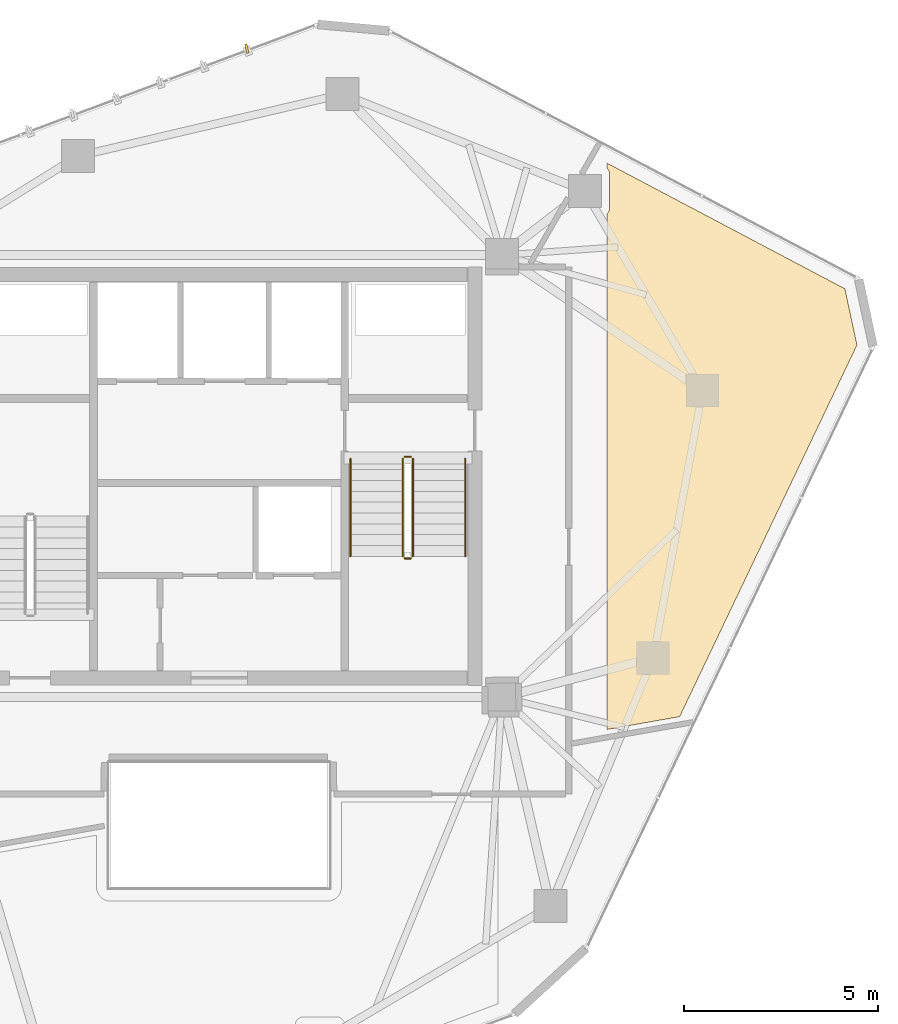
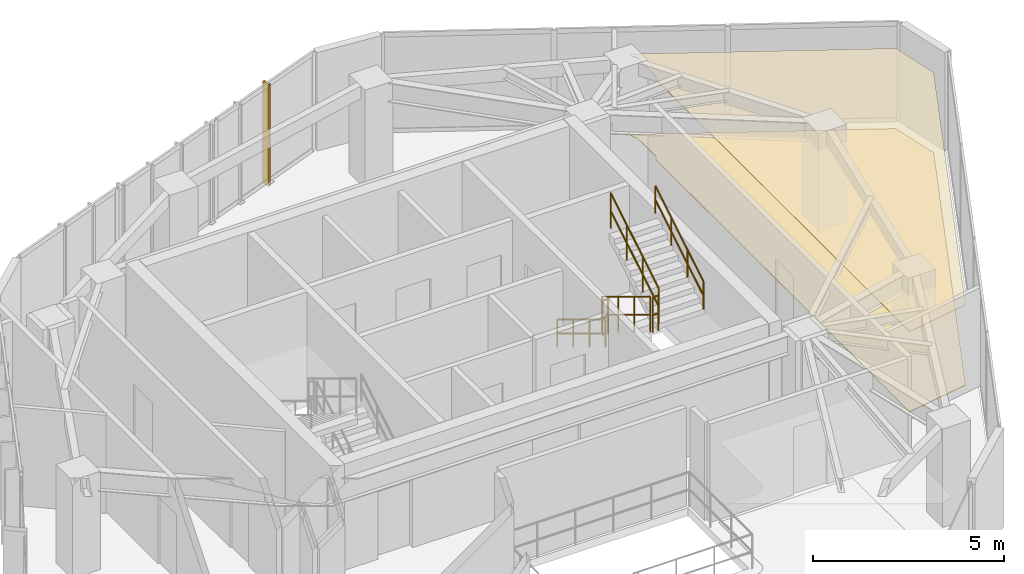
# One storey, part 20 of 20: 6 railings, 2 coverings, 1 shading device.
"""IFC4 building model written with IfcOpenShell, lengths in metres."""

from ifc_helpers import new_model, si_unit, direction, frame, origin, origin_2d, place, context, subcontext, project, spatial, polyline, rectangle, circle, outline, extrude, source, transform, mapped, material, layer, layer_set, type_object, type_shapes, element, save


model = new_model("IFC4")

# Units and contexts
model_context = context("Model", 3, precision=1e-05, world=origin(), true_north=direction((0.0, 1.0)))
body_context = subcontext(model_context, "Body", "Model", "MODEL_VIEW")
ifc_project = project(units=[si_unit("LENGTHUNIT", "METRE"), si_unit("AREAUNIT", "SQUARE_METRE"), si_unit("VOLUMEUNIT", "CUBIC_METRE"), si_unit("PLANEANGLEUNIT", "RADIAN"), si_unit("MASSUNIT", "GRAM", prefix="KILO")], contexts=[model_context])

# Site, building, storey
site_placement = place(None, origin())
site = spatial("IfcSite", under=ifc_project, at=site_placement, CompositionType="ELEMENT")
building_placement = place(site_placement, origin())
building = spatial("IfcBuilding", under=site, at=building_placement, Name="Talar Marvaseh", CompositionType="ELEMENT")
storey_placement = place(building_placement, frame((0.0, 0.0, 281.60009765625)))
storey = spatial("IfcBuildingStorey", under=building, at=storey_placement, Name="L75", CompositionType="ELEMENT", Elevation=281.60009765625)

# Railings
ifc_material_1 = material(Name="Stainless Steel Grade 316", Category="steel")
railing_type_1 = type_object("IfcRailingType", Name="Brushed Stainless Wall Pitch Handrail 900", PredefinedType="HANDRAIL", material=ifc_material_1)
railing_1_placement = place(storey_placement, frame((29.389892578125, 31.64990234375, 0.169921875)))
element("IfcRailing", 1, at=railing_1_placement, inside=storey, type_object=railing_type_1, Name="L75 ST-2 stair handrail 1", PredefinedType="HANDRAIL", context=body_context, shape_type="SweptSolid", body=[
    extrude(circle(Radius=0.02392578125, at=origin_2d()), frame((0.0, 0.0, 0.8759765625), z_axis=(0.0, -0.85478489116, 0.518982456201), x_axis=(1.0, 0.0, 0.0)), (0.0, 0.0, 1.0), 2.9482421875),
    extrude(circle(Radius=0.02392578125, at=origin_2d()), frame((0.0, 0.0, 0.42578125), z_axis=(0.0, -0.85478489116, 0.518982456201), x_axis=(1.0, 0.0, 0.0)), (0.0, 0.0, 1.0), 2.9482421875),
    extrude(circle(Radius=0.02099609375, at=origin_2d()), origin(), (0.0, 0.0, 1.0), 0.851806640625),
    extrude(circle(Radius=0.02099609375, at=origin_2d()), frame((0.0, -0.840087890625, 0.510009765625)), (0.0, 0.0, 1.0), 0.851806640625),
    extrude(circle(Radius=0.02099609375, at=origin_2d()), frame((0.0, -1.679931640625, 1.02001953125)), (0.0, 0.0, 1.0), 0.851806640625),
    extrude(circle(Radius=0.02099609375, at=origin_2d()), frame((0.0, -2.52001953125, 1.530029296875)), (0.0, 0.0, 1.0), 0.851806640625),
])
railing_2_placement = place(storey_placement, frame((32.35009765625, 29.1298828125, 1.869873046875)))
element("IfcRailing", 2, at=railing_2_placement, inside=storey, type_object=railing_type_1, Name="L75 ST-2 stair handrail 2", PredefinedType="HANDRAIL", context=body_context, shape_type="SweptSolid", body=[
    extrude(circle(Radius=0.02392578125, at=origin_2d()), frame((0.0, 0.0, 0.8759765625), z_axis=(0.0, 0.85478489116, 0.518982456201), x_axis=(-1.0, 0.0, 0.0)), (0.0, 0.0, 1.0), 2.9482421875),
    extrude(circle(Radius=0.02392578125, at=origin_2d()), frame((0.0, 0.0, 0.42578125), z_axis=(0.0, 0.85478489116, 0.518982456201), x_axis=(-1.0, 0.0, 0.0)), (0.0, 0.0, 1.0), 2.9482421875),
    extrude(circle(Radius=0.02099609375, at=origin_2d()), origin(), (0.0, 0.0, 1.0), 0.851806640625),
    extrude(circle(Radius=0.02099609375, at=origin_2d()), frame((0.0, 0.840087890625, 0.510009765625)), (0.0, 0.0, 1.0), 0.851806640625),
    extrude(circle(Radius=0.02099609375, at=origin_2d()), frame((0.0, 1.679931640625, 1.02001953125)), (0.0, 0.0, 1.0), 0.851806640625),
    extrude(circle(Radius=0.02099609375, at=origin_2d()), frame((0.0, 2.52001953125, 1.530029296875)), (0.0, 0.0, 1.0), 0.851806640625),
])
railing_type_2 = type_object("IfcRailingType", Name="Painted Steel Core Stair Well Guardrail 1150", PredefinedType="GUARDRAIL", material=ifc_material_1)
railing_3_placement = place(storey_placement, frame((30.739990234375, 31.64990234375, 0.169921875)))
element("IfcRailing", 3, at=railing_3_placement, inside=storey, type_object=railing_type_2, Name="L75 ST-2 stair guard 1", PredefinedType="GUARDRAIL", context=body_context, shape_type="SweptSolid", body=[
    extrude(circle(Radius=0.02392578125, at=origin_2d()), frame((0.0, 0.0, 1.1259765625), z_axis=(0.0, -0.85478489116, 0.518982456201), x_axis=(1.0, 0.0, 0.0)), (0.0, 0.0, 1.0), 2.9482421875),
    extrude(circle(Radius=0.02392578125, at=origin_2d()), frame((0.0, 0.0, 0.55078125), z_axis=(0.0, -0.85478489116, 0.518982456201), x_axis=(1.0, 0.0, 0.0)), (0.0, 0.0, 1.0), 2.9482421875),
    extrude(circle(Radius=0.02099609375, at=origin_2d()), origin(), (0.0, 0.0, 1.0), 1.101806640625),
    extrude(circle(Radius=0.02099609375, at=origin_2d()), frame((0.0, -0.840087890625, 0.510009765625)), (0.0, 0.0, 1.0), 1.101806640625),
    extrude(circle(Radius=0.02099609375, at=origin_2d()), frame((0.0, -1.679931640625, 1.02001953125)), (0.0, 0.0, 1.0), 1.101806640625),
    extrude(circle(Radius=0.02099609375, at=origin_2d()), frame((0.0, -2.52001953125, 1.530029296875)), (0.0, 0.0, 1.0), 1.101806640625),
])
railing_4_placement = place(storey_placement, frame((30.7900390625, 29.080078125, 1.699951171875)))
element("IfcRailing", 4, at=railing_4_placement, inside=storey, type_object=railing_type_2, Name="L75 ST-2 stair guard 2", PredefinedType="GUARDRAIL", context=body_context, shape_type="SweptSolid", body=[
    extrude(circle(Radius=0.02392578125, at=origin_2d()), frame((0.0, 0.0, 1.1259765625), z_axis=(1.0, 0.0, 0.0), x_axis=(0.0, 1.0, 0.0)), (0.0, 0.0, 1.0), 0.159912109375),
    extrude(circle(Radius=0.02392578125, at=origin_2d()), frame((0.0, 0.0, 0.55078125), z_axis=(1.0, 0.0, 0.0), x_axis=(0.0, 1.0, 0.0)), (0.0, 0.0, 1.0), 0.159912109375),
    extrude(circle(Radius=0.02099609375, at=origin_2d()), origin(), (0.0, 0.0, 1.0), 1.101806640625),
    extrude(circle(Radius=0.02099609375, at=origin_2d()), frame((0.159912109375, 0.0, 0.0)), (0.0, 0.0, 1.0), 1.101806640625),
])
railing_5_placement = place(storey_placement, frame((31.0, 29.1298828125, 1.869873046875)))
element("IfcRailing", 5, at=railing_5_placement, inside=storey, type_object=railing_type_2, Name="L75 ST-2 stair guard 3", PredefinedType="GUARDRAIL", context=body_context, shape_type="SweptSolid", body=[
    extrude(circle(Radius=0.02392578125, at=origin_2d()), frame((0.0, 0.0, 1.1259765625), z_axis=(0.0, 0.85478489116, 0.518982456201), x_axis=(-1.0, 0.0, 0.0)), (0.0, 0.0, 1.0), 2.9482421875),
    extrude(circle(Radius=0.02392578125, at=origin_2d()), frame((0.0, 0.0, 0.55078125), z_axis=(0.0, 0.85478489116, 0.518982456201), x_axis=(-1.0, 0.0, 0.0)), (0.0, 0.0, 1.0), 2.9482421875),
    extrude(circle(Radius=0.02099609375, at=origin_2d()), origin(), (0.0, 0.0, 1.0), 1.101806640625),
    extrude(circle(Radius=0.02099609375, at=origin_2d()), frame((0.0, 0.840087890625, 0.510009765625)), (0.0, 0.0, 1.0), 1.101806640625),
    extrude(circle(Radius=0.02099609375, at=origin_2d()), frame((0.0, 1.679931640625, 1.02001953125)), (0.0, 0.0, 1.0), 1.101806640625),
    extrude(circle(Radius=0.02099609375, at=origin_2d()), frame((0.0, 2.52001953125, 1.530029296875)), (0.0, 0.0, 1.0), 1.101806640625),
])
railing_6_placement = place(storey_placement, frame((30.7900390625, 31.699951171875, 0.0)))
element("IfcRailing", 6, at=railing_6_placement, inside=storey, type_object=railing_type_2, Name="L75 ST-2 stair guard 4", PredefinedType="GUARDRAIL", context=body_context, shape_type="SweptSolid", body=[
    extrude(circle(Radius=0.02392578125, at=origin_2d()), frame((0.0, 0.0, 1.1259765625), z_axis=(1.0, 0.0, 0.0), x_axis=(0.0, 1.0, 0.0)), (0.0, 0.0, 1.0), 0.159912109375),
    extrude(circle(Radius=0.02392578125, at=origin_2d()), frame((0.0, 0.0, 0.55078125), z_axis=(1.0, 0.0, 0.0), x_axis=(0.0, 1.0, 0.0)), (0.0, 0.0, 1.0), 0.159912109375),
    extrude(circle(Radius=0.02099609375, at=origin_2d()), origin(), (0.0, 0.0, 1.0), 1.101806640625),
    extrude(circle(Radius=0.02099609375, at=origin_2d()), frame((0.159912109375, 0.0, 0.0)), (0.0, 0.0, 1.0), 1.101806640625),
])

# Coverings
ifc_material_2 = material(Name="Mineral Fibre Acoustic Ceiling")
ifc_layer_1 = layer(ifc_material_2, 0.02490234375)
ifc_layer_set_1 = layer_set([ifc_layer_1], Name="Mineral Fibre Acoustic Ceiling")
covering_type_1 = type_object("IfcCoveringType", Name="Perforated Mineral Fibre Acoustic Suspended Ceiling", PredefinedType="CEILING", material=ifc_layer_set_1)
covering_1_placement = place(storey_placement, frame((0.0, 0.0, 2.559814453125)))
element("IfcCovering", 7, at=covering_1_placement, inside=storey, type_object=covering_type_1, Name="L75 Collection Conservation Store Acoustic Ceiling", PredefinedType="CEILING", context=body_context, shape_type="SweptSolid", body=[
    extrude(outline(polyline([(36.0224609375, 37.982666015625), (36.03466796875, 37.996826171875), (36.04541015625, 38.01220703125), (36.0546875, 38.028564453125), (36.062255859375, 38.045654296875), (36.068359375, 38.0634765625), (36.07275390625, 38.081787109375), (36.0751953125, 38.100341796875), (36.076171875, 38.119140625), (36.075439453125, 38.984619140625), (36.074462890625, 39.00390625), (36.071533203125, 39.0234375), (36.06689453125, 39.04248046875), (36.060302734375, 39.060791015625), (36.052001953125, 39.07861328125), (36.041748046875, 39.095458984375), (36.0302734375, 39.111083984375), (36.01708984375, 39.12548828125), (36.00244140625, 39.138916015625), (36.0, 39.140625), (36.0, 39.276611328125), (42.142578125, 36.031494140625), (42.452880859375, 34.580810546875), (37.880126953125, 24.997802734375), (36.0, 24.66650390625), (36.0, 37.962158203125), (36.009033203125, 37.969482421875), (36.0224609375, 37.982666015625)])), origin(), (0.0, 0.0, 1.0), 0.025146484375),
])
ifc_material_3 = material(Name="Porcelain Stoneware Tile", Category="masonry")
ifc_layer_2 = layer(ifc_material_3, 0.02001953125)
ifc_layer_set_2 = layer_set([ifc_layer_2], Name="Porcelain Stoneware Tile")
covering_type_2 = type_object("IfcCoveringType", Name="Polished Porcelain Stoneware Gallery Flooring", PredefinedType="FLOORING", material=ifc_layer_set_2)
covering_2_placement = place(storey_placement, origin())
element("IfcCovering", 8, at=covering_2_placement, inside=storey, type_object=covering_type_2, Name="L75 Collection Conservation Store Flooring", PredefinedType="FLOORING", context=body_context, shape_type="SweptSolid", body=[
    extrude(outline(polyline([(36.0224609375, 37.982666015625), (36.03466796875, 37.996826171875), (36.04541015625, 38.01220703125), (36.0546875, 38.028564453125), (36.062255859375, 38.045654296875), (36.068359375, 38.0634765625), (36.07275390625, 38.081787109375), (36.0751953125, 38.100341796875), (36.076171875, 38.119140625), (36.075439453125, 38.984619140625), (36.074462890625, 39.00390625), (36.071533203125, 39.0234375), (36.06689453125, 39.04248046875), (36.060302734375, 39.060791015625), (36.052001953125, 39.07861328125), (36.041748046875, 39.095458984375), (36.0302734375, 39.111083984375), (36.01708984375, 39.12548828125), (36.00244140625, 39.138916015625), (36.0, 39.140625), (36.0, 39.276611328125), (42.142578125, 36.031494140625), (42.452880859375, 34.580810546875), (37.880126953125, 24.997802734375), (36.0, 24.66650390625), (36.0, 37.962158203125), (36.009033203125, 37.969482421875), (36.0224609375, 37.982666015625)])), origin(), (0.0, 0.0, 1.0), 0.02001953125),
])

# Shading device
ifc_material_4 = material(Name="Anodised Champagne Bronze Aluminium", Category="aluminium")
ifc_layer_3 = layer(ifc_material_4, 0.06494140625)
ifc_layer_set_3 = layer_set([ifc_layer_3], Name="Anodised Champagne Bronze Aluminium")
shading_device_type = type_object("IfcShadingDeviceType", Name="Sawtooth Champagne Bronze Vertical Fin 240", PredefinedType="USERDEFINED", material=ifc_layer_set_3)
shared_shape = source(origin(), body_context, "Body", "SweptSolid", [
    extrude(rectangle(XDim=0.239990234375, YDim=0.06494140625, at=origin_2d()), origin(), (0.0, 0.0, 1.0), 3.260009765625),
])
type_shapes(shading_device_type, [shared_shape])
shading_device_placement = place(storey_placement, frame((26.717041015625, 42.226806640625, -0.1201171875), z_axis=(0.0, 0.0, 1.0), x_axis=(-0.215246682117, 0.976559709305, 0.0)))
element("IfcShadingDevice", 9, at=shading_device_placement, inside=storey, type_object=shading_device_type, Name="L75 Sawtooth Vertical Solar Fin", ObjectType="FIN", PredefinedType="USERDEFINED", context=body_context, shape_type="MappedRepresentation", body=[
    mapped(shared_shape, transform((0.0, 0.0, 0.0), x_axis=(1.0, 0.0, 0.0), y_axis=(0.0, 1.0, 0.0), z_axis=(0.0, 0.0, 1.0), scale=1.0)),
])

save(model, "model.ifc")
